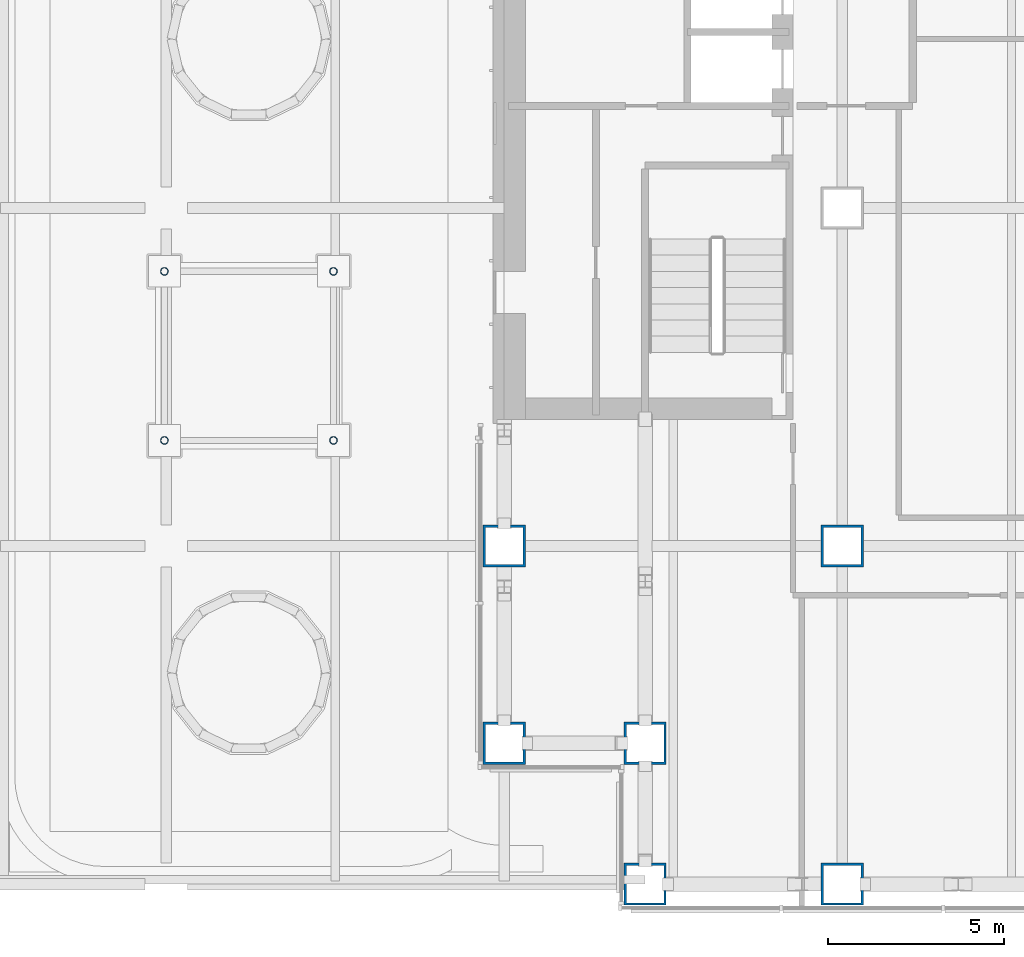
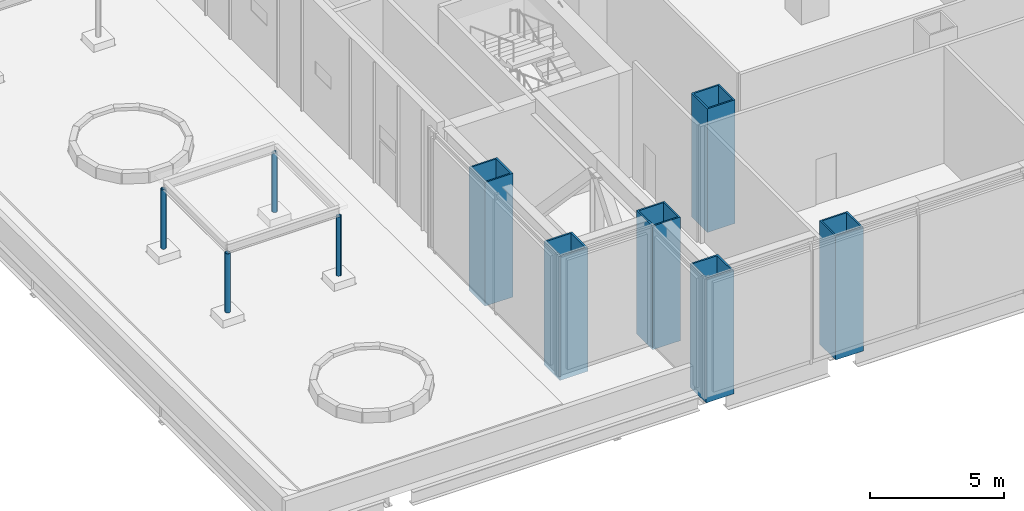
# One storey, part 1 of 39: 10 columns.
"""IFC4 building model written with IfcOpenShell, lengths in metres."""

import ifcopenshell
import ifcopenshell.guid

model = None  # the IFC model being written
_history = None  # IfcOwnerHistory: only IFC2X3 demands one
_inside = {}  # id of a spatial element -> (the spatial element, [elements in it])
_under = {}  # id of a project, library or spatial element -> (it, [spatial elements below it])
_declared = {}  # id of a project -> (the project, [libraries it declares])
_typed = {}  # id of a type object -> (the type object, [elements of that type])
_made_of = {}  # id of a material, layer set ... -> (it, [elements and type objects made of it])


def new_model(schema):
    """Start an empty IFC model of exactly this schema.

    Asked for "IFC4X3", IfcOpenShell would pick the latest addendum, in which some entities
    have other attributes; the version numbers below select the first issue.
    IFC2X3 requires an IfcOwnerHistory on every rooted entity: one is made here for all.
    """
    global model, _history
    if schema == "IFC4X3":
        model = ifcopenshell.file(schema_version=(4, 3, 0, 0))
    else:
        model = ifcopenshell.file(schema=schema)
    _inside.clear()
    _under.clear()
    _declared.clear()
    _typed.clear()
    _made_of.clear()
    _history = None
    if model.schema == "IFC2X3":
        org = make("IfcOrganization", Name="unknown")
        user = make(
            "IfcPersonAndOrganization",
            ThePerson=make("IfcPerson", FamilyName="unknown"),
            TheOrganization=org,
        )
        app = make(
            "IfcApplication",
            ApplicationDeveloper=org,
            Version="unknown",
            ApplicationFullName="unknown",
            ApplicationIdentifier="unknown",
        )
        _history = make(
            "IfcOwnerHistory",
            OwningUser=user,
            OwningApplication=app,
            ChangeAction="ADDED",
            CreationDate=0,
        )
    return model


def make(cls, **values):
    """One entity of the class cls with the attributes given. An attribute that is None is left unset."""
    return model.create_entity(
        cls, **{name: value for name, value in values.items() if value is not None}
    )


def rooted(cls, **values):
    """An entity with a GlobalId (a new one), such as an element, a storey or a relation."""
    return make(cls, GlobalId=ifcopenshell.guid.new(), OwnerHistory=_history, **values)


def si_unit(unit_type, name, prefix=None):
    """IfcSIUnit, for example si_unit("LENGTHUNIT", "METRE", prefix="MILLI")."""
    return make("IfcSIUnit", UnitType=unit_type, Prefix=prefix, Name=name)


def assignment(units):
    """IfcUnitAssignment: the units of a project."""
    return None if units is None else make("IfcUnitAssignment", Units=units)


def point(xyz):
    """IfcCartesianPoint."""
    return None if xyz is None else make("IfcCartesianPoint", Coordinates=xyz)


def direction(xyz):
    """IfcDirection."""
    return None if xyz is None else make("IfcDirection", DirectionRatios=xyz)


def frame(location, z_axis=None, x_axis=None):
    """IfcAxis2Placement3D, a coordinate frame: its origin and axes. An axis left out is left unset."""
    return make(
        "IfcAxis2Placement3D",
        Location=point(location),
        Axis=direction(z_axis),
        RefDirection=direction(x_axis),
    )


def frame_2d(location, x_axis=None):
    """IfcAxis2Placement2D, a coordinate frame in the plane: its origin and x axis."""
    return make(
        "IfcAxis2Placement2D", Location=point(location), RefDirection=direction(x_axis)
    )


def origin():
    """The frame at (0, 0, 0) with its axes left unset."""
    return frame((0.0, 0.0, 0.0))


def origin_2d():
    """The frame at (0, 0) in the plane with its x axis left unset."""
    return frame_2d((0.0, 0.0))


def place(relative_to, where):
    """IfcLocalPlacement: puts the frame where relative to a parent placement (None: the world)."""
    return make(
        "IfcLocalPlacement", PlacementRelTo=relative_to, RelativePlacement=where
    )


def context(
    kind, dimensions, precision=None, world=None, true_north=None, identifier=None
):
    """IfcGeometricRepresentationContext, for example the 3D "Model" context."""
    return make(
        "IfcGeometricRepresentationContext",
        ContextIdentifier=identifier,
        ContextType=kind,
        CoordinateSpaceDimension=dimensions,
        Precision=precision,
        WorldCoordinateSystem=world,
        TrueNorth=true_north,
    )


def subcontext(parent, identifier, kind, view, scale=None):
    """IfcGeometricRepresentationSubContext, for example "Body" below "Model"."""
    return make(
        "IfcGeometricRepresentationSubContext",
        ContextIdentifier=identifier,
        ContextType=kind,
        ParentContext=parent,
        TargetScale=scale,
        TargetView=view,
    )


def project(units=None, contexts=None):
    """IfcProject with its units and contexts."""
    return rooted(
        "IfcProject",
        Name="project",
        RepresentationContexts=contexts,
        UnitsInContext=assignment(units),
    )


def spatial(cls, under=None, at=None, **own):
    """A site, building, storey or space (cls), placed at a placement, below another one or the project."""
    s = rooted(cls, ObjectPlacement=at, **own)
    if under is not None:
        _under.setdefault(under.id(), (under, []))[1].append(s)
    return s


def profile(cls, at=None, kind="AREA", **sizes):
    """A parametric profile (cls). Its sizes go by their IFC names, for example OverallWidth=200.0."""
    return make(cls, ProfileType=kind, Position=at, **sizes)


def hollow_rectangle(**sizes):
    """IfcRectangleHollowProfileDef."""
    return profile("IfcRectangleHollowProfileDef", **sizes)


def hollow_circle(**sizes):
    """IfcCircleHollowProfileDef."""
    return profile("IfcCircleHollowProfileDef", **sizes)


def extrude(swept, where, along, depth):
    """IfcExtrudedAreaSolid: the profile swept, set in the frame where, extruded along a direction by depth."""
    return make(
        "IfcExtrudedAreaSolid",
        SweptArea=swept,
        Position=where,
        ExtrudedDirection=direction(along),
        Depth=depth,
    )


def shape(context_of_items, identifier, shape_type, items):
    """IfcShapeRepresentation: the items that make up one representation, for example the "Body"."""
    return make(
        "IfcShapeRepresentation",
        ContextOfItems=context_of_items,
        RepresentationIdentifier=identifier,
        RepresentationType=shape_type,
        Items=items,
    )


def material(Name=None, Category=None):
    """IfcMaterial."""
    return make("IfcMaterial", Name=Name, Category=Category)


def material_profile(
    of_material, cross_section, Name=None, Category=None, Priority=None
):
    """IfcMaterialProfile: a cross section and its material."""
    return make(
        "IfcMaterialProfile",
        Name=Name,
        Material=of_material,
        Profile=cross_section,
        Priority=Priority,
        Category=Category,
    )


def profile_set(profiles, Name=None, composite=None):
    """IfcMaterialProfileSet."""
    return make(
        "IfcMaterialProfileSet",
        Name=Name,
        MaterialProfiles=profiles,
        CompositeProfile=composite,
    )


def made_of(thing, what):
    """Note that an element or type object is made of a material, layer set ...; save() writes the relation."""
    if what is not None:
        _made_of.setdefault(what.id(), (what, []))[1].append(thing)
    return thing


def type_object(cls, material=None, **own):
    """A type object (cls), such as IfcWallType, which elements share."""
    return made_of(rooted(cls, **own), material)


def element(
    cls,
    number,
    at=None,
    inside=None,
    cuts=None,
    type_object=None,
    material=None,
    context=None,
    identifier="Body",
    shape_type=None,
    held_by="IfcProductDefinitionShape",
    body=None,
    shapes=None,
    **own,
):
    """One element of the class cls, such as IfcWall. Its Tag is "e" and its number.

    at: its placement. inside: the storey or other place that contains it. cuts: it is an
    opening in that element (IfcRelVoidsElement). A single representation is given by context,
    identifier, shape_type and body (its items); several are given by shapes. held_by: the class
    of the entity that holds the representations. save() writes the other relations.
    """
    e = rooted(cls, Tag="e%d" % number, ObjectPlacement=at, **own)
    if body is not None:
        shapes = [shape(context, identifier, shape_type, body)]
    if shapes is not None:
        e.Representation = make(held_by, Representations=shapes)
    if inside is not None:
        _inside.setdefault(inside.id(), (inside, []))[1].append(e)
    if cuts is not None:
        rooted(
            "IfcRelVoidsElement", RelatingBuildingElement=cuts, RelatedOpeningElement=e
        )
    if type_object is not None:
        _typed.setdefault(type_object.id(), (type_object, []))[1].append(e)
    return made_of(e, material)


def aggregate(whole, parts):
    """IfcRelAggregates: a whole, such as a stair, and the parts it consists of."""
    return rooted("IfcRelAggregates", RelatingObject=whole, RelatedObjects=parts)


def save(model, path):
    """Write the relations noted so far, then the file.

    IfcRelAggregates (storeys below a building ...), IfcRelContainedInSpatialStructure (elements
    in a storey), IfcRelDefinesByType, IfcRelAssociatesMaterial and IfcRelDeclares: one each for
    every whole, place, type object, material and project.
    """
    for whole, parts in _under.values():
        aggregate(whole, parts)
    for where, things in _inside.values():
        rooted(
            "IfcRelContainedInSpatialStructure",
            RelatedElements=things,
            RelatingStructure=where,
        )
    for kind, things in _typed.values():
        rooted("IfcRelDefinesByType", RelatedObjects=things, RelatingType=kind)
    for what, things in _made_of.values():
        rooted("IfcRelAssociatesMaterial", RelatedObjects=things, RelatingMaterial=what)
    for by, libraries in _declared.values():
        rooted("IfcRelDeclares", RelatingContext=by, RelatedDefinitions=libraries)
    model.write(path)


model = new_model("IFC4")

# Units and contexts
model_context = context("Model", 3, precision=1e-05, world=origin(), true_north=direction((0.0, 1.0)))
body_context = subcontext(model_context, "Body", "Model", "MODEL_VIEW")
ifc_project = project(units=[si_unit("LENGTHUNIT", "METRE"), si_unit("AREAUNIT", "SQUARE_METRE"), si_unit("VOLUMEUNIT", "CUBIC_METRE"), si_unit("PLANEANGLEUNIT", "RADIAN"), si_unit("MASSUNIT", "GRAM", prefix="KILO")], contexts=[model_context])

# Site, building, storey
site_placement = place(None, origin())
site = spatial("IfcSite", under=ifc_project, at=site_placement, CompositionType="ELEMENT")
building_placement = place(site_placement, origin())
building = spatial("IfcBuilding", under=site, at=building_placement, Name="Cobrizo Arcos Hotel Tower", CompositionType="ELEMENT")
storey_placement = place(building_placement, frame((0.0, 0.0, 33.5)))
storey = spatial("IfcBuildingStorey", under=building, at=storey_placement, Name="L06", CompositionType="ELEMENT", Elevation=33.5)

# Columns
ifc_material_1 = material(Name="Steel ASTM A572 Grade 50", Category="steel")
ifc_material_profile_1 = material_profile(ifc_material_1, hollow_rectangle(XDim=1.199951171875, YDim=1.199951171875, WallThickness=0.070068359375, at=origin_2d()), Name="BOX 1200X1200X70")
ifc_profile_set_1 = profile_set([ifc_material_profile_1], Name="Steel ASTM A572 Grade 50")
column_type_1 = type_object("IfcColumnType", Name="BOX 1200X1200X70 column", PredefinedType="COLUMN", material=ifc_profile_set_1)
for number, where, z_axis, x_axis, name in (
    (1, (-24.0, -20.0, -0.300048828125), (0.0, 0.0, 1.0), (1.0, 0.0, 0.0), "Perimeter column C1, L06, no. 00"),
    (2, (-24.0, -14.39990234375, -0.300048828125), (0.0, 0.0, 1.0), (1.0, 0.0, 0.0), "Perimeter column C1, L06, no. 01"),
    (3, (-20.0, -24.0, -0.300048828125), (0.0, 0.0, 1.0), (1.0, 0.0, 0.0), "Perimeter column C1, L06, no. 04"),
    (4, (-20.0, -20.0, -0.300048828125), (0.0, 0.0, 1.0), (1.0, 0.0, 0.0), "Perimeter column C1, L06, no. 05"),
    (5, (-14.39990234375, -24.0, -0.300048828125), (0.0, 0.0, 1.0), (1.0, 0.0, 0.0), "Perimeter column C1, L06, no. 08"),
):
    element("IfcColumn", number, at=place(storey_placement, frame(where, z_axis=z_axis, x_axis=x_axis)), inside=storey, type_object=column_type_1, Name=name, PredefinedType="COLUMN", context=body_context, shape_type="SweptSolid", body=[
        extrude(hollow_rectangle(XDim=1.199951171875, YDim=1.199951171875, WallThickness=0.070068359375, at=origin_2d()), origin(), (0.0, 0.0, 1.0), 5.650146484375),
    ])
ifc_material_profile_2 = material_profile(ifc_material_1, hollow_rectangle(XDim=1.199951171875, YDim=1.199951171875, WallThickness=0.070068359375, at=origin_2d()), Name="BOX 1200X1200X70")
ifc_profile_set_2 = profile_set([ifc_material_profile_2], Name="Steel ASTM A572 Grade 50")
column_type_2 = type_object("IfcColumnType", Name="BOX 1200X1200X70 interior column", PredefinedType="COLUMN", material=ifc_profile_set_2)
column_placement = place(storey_placement, frame((-14.39990234375, -14.39990234375, -0.300048828125), z_axis=(0.0, 0.0, 1.0), x_axis=(1.0, 0.0, 0.0)))
element("IfcColumn", 6, at=column_placement, inside=storey, type_object=column_type_2, Name="Interior column C2, L06, no. 00", PredefinedType="COLUMN", context=body_context, shape_type="SweptSolid", body=[
    extrude(hollow_rectangle(XDim=1.199951171875, YDim=1.199951171875, WallThickness=0.070068359375, at=origin_2d()), origin(), (0.0, 0.0, 1.0), 5.650146484375),
])
ifc_material_2 = material(Name="Steel ASTM A500 Grade C", Category="steel")
ifc_material_profile_3 = material_profile(ifc_material_2, hollow_circle(Radius=0.109619140625, WallThickness=0.01171875, at=origin_2d()), Name="HSS8.625X0.500")
ifc_profile_set_3 = profile_set([ifc_material_profile_3], Name="Steel ASTM A500 Grade C")
column_type_3 = type_object("IfcColumnType", Name="HSS8.625X0.500 pavilion column", PredefinedType="COLUMN", material=ifc_profile_set_3)
for number, where, z_axis, x_axis, name in (
    (7, (-33.64990234375, -11.39990234375, 0.449951171875), (0.0, 0.0, 1.0), (1.0, 0.0, 0.0), "Pavilion 1 column 1"),
    (8, (-28.85009765625, -11.39990234375, 0.449951171875), (0.0, 0.0, 1.0), (1.0, 0.0, 0.0), "Pavilion 1 column 2"),
    (9, (-28.85009765625, -6.60009765625, 0.449951171875), (0.0, 0.0, 1.0), (1.0, 0.0, 0.0), "Pavilion 1 column 3"),
    (10, (-33.64990234375, -6.60009765625, 0.449951171875), (0.0, 0.0, 1.0), (1.0, 0.0, 0.0), "Pavilion 1 column 4"),
):
    element("IfcColumn", number, at=place(storey_placement, frame(where, z_axis=z_axis, x_axis=x_axis)), inside=storey, type_object=column_type_3, Name=name, PredefinedType="COLUMN", context=body_context, shape_type="SweptSolid", body=[
        extrude(hollow_circle(Radius=0.109619140625, WallThickness=0.01171875, at=origin_2d()), origin(), (0.0, 0.0, 1.0), 2.699951171875),
    ])

save(model, "model.ifc")
